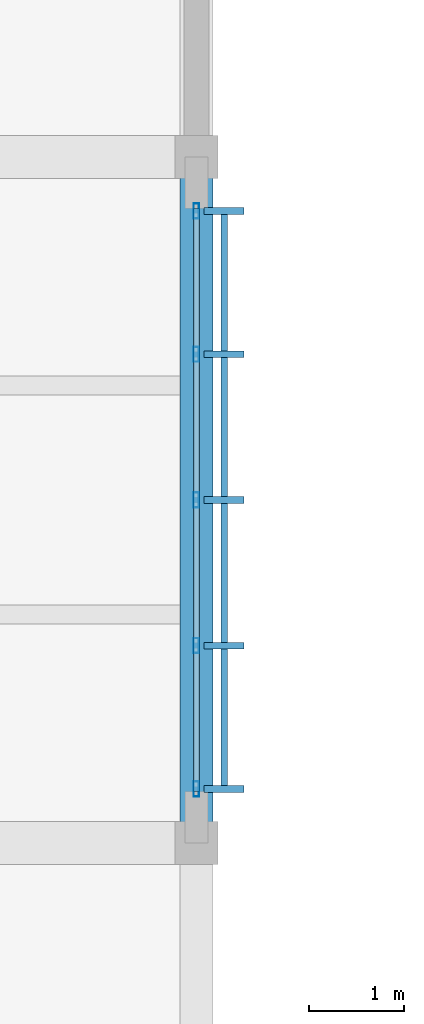
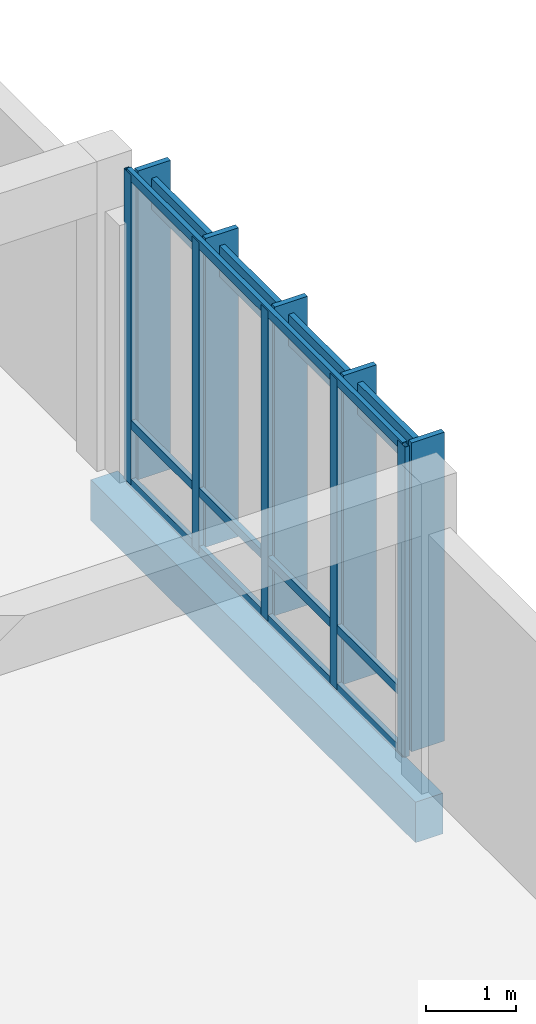
# One storey, part 29 of 107: 14 members, 1 beam, 1 element without a shape of its own.
"""IFC4 building model written with IfcOpenShell, lengths in metres."""

from ifc_helpers import new_model, si_unit, direction, frame, origin, origin_2d, place, context, subcontext, project, spatial, rectangle, hollow_rectangle, extrude, material, material_profile, profile_set, type_object, element, aggregate, save


model = new_model("IFC4")

# Units and contexts
model_context = context("Model", 3, precision=1e-05, world=origin(), true_north=direction((0.0, 1.0)))
body_context = subcontext(model_context, "Body", "Model", "MODEL_VIEW")
ifc_project = project(units=[si_unit("LENGTHUNIT", "METRE"), si_unit("AREAUNIT", "SQUARE_METRE"), si_unit("VOLUMEUNIT", "CUBIC_METRE"), si_unit("PLANEANGLEUNIT", "RADIAN"), si_unit("MASSUNIT", "GRAM", prefix="KILO")], contexts=[model_context])

# Site, building, storey
site_placement = place(None, origin())
site = spatial("IfcSite", under=ifc_project, at=site_placement, CompositionType="ELEMENT")
building_placement = place(site_placement, origin())
building = spatial("IfcBuilding", under=site, at=building_placement, Name="Chiffa Square Polytechnic", CompositionType="ELEMENT")
storey_placement = place(building_placement, frame((0.0, 0.0, 13.800048828125)))
storey = spatial("IfcBuildingStorey", under=building, at=storey_placement, Name="L03", CompositionType="ELEMENT", Elevation=13.800048828125)

# Beam
ifc_material_1 = material(Name="Concrete C35/45", Category="concrete")
ifc_material_profile_1 = material_profile(ifc_material_1, rectangle(XDim=0.35009765625, YDim=0.550048828125, at=origin_2d()), Name="RC 350x550")
ifc_profile_set_1 = profile_set([ifc_material_profile_1], Name="Concrete C35/45")
beam_type = type_object("IfcBeamType", Name="BM-RC-350X550", PredefinedType="BEAM", material=ifc_profile_set_1)
beam_placement = place(storey_placement, frame((32.0, 65.39990234375, -0.53515625), z_axis=(0.0, 1.0, 0.0), x_axis=(-1.0, 0.0, 0.0)))
element("IfcBeam", 1, at=beam_placement, inside=storey, type_object=beam_type, Name="Primary floor girder BM-V6-L03-Y-0320-0654", PredefinedType="BEAM", context=body_context, shape_type="SweptSolid", body=[
    extrude(rectangle(XDim=0.35009765625, YDim=0.550048828125, at=origin_2d()), origin(), (0.0, 0.0, 1.0), 7.2001953125),
])

# Curtain wall, members
ifc_material_2 = material(Name="Aluminium EN AW-6060 T66 and glulam shading", Category="wood")
curtain_wall_type = type_object("IfcCurtainWallType", Name="CW-VERT-540X440", PredefinedType="USERDEFINED", material=ifc_material_2)
curtain_wall_placement = place(storey_placement, origin())
curtain_wall = element("IfcCurtainWall", 2, at=curtain_wall_placement, inside=storey, type_object=curtain_wall_type, Name="Curtain wall CW-V6-L03-271", ObjectType="CURTAIN WALL", PredefinedType="USERDEFINED")
ifc_material_3 = material(Name="Aluminium EN AW-6060 T66", Category="aluminium")
ifc_material_profile_2 = material_profile(ifc_material_3, hollow_rectangle(XDim=0.06005859375, YDim=0.159912109375, WallThickness=0.00390625, at=origin_2d()), Name="ALU 60x160x4")
ifc_profile_set_2 = profile_set([ifc_material_profile_2], Name="Aluminium EN AW-6060 T66")
member_type_1 = type_object("IfcMemberType", Name="CWM-ALU-65X150", PredefinedType="MULLION", material=ifc_profile_set_2)
member_1_placement = place(storey_placement, frame((32.0, 65.965087890625, 0.0), z_axis=(0.0, 0.0, 1.0), x_axis=(1.0, 0.0, 0.0)))
member_1 = element("IfcMember", 3, at=member_1_placement, type_object=member_type_1, Name="Curtain wall mullion CW-V6-L03-271-M00", PredefinedType="MULLION", context=body_context, shape_type="SweptSolid", body=[
    extrude(hollow_rectangle(XDim=0.06005859375, YDim=0.159912109375, WallThickness=0.00390625, at=origin_2d()), origin(), (0.0, 0.0, 1.0), 4.199951171875),
])
member_2_placement = place(storey_placement, frame((32.0, 67.469970703125, 0.0), z_axis=(0.0, 0.0, 1.0), x_axis=(1.0, 0.0, 0.0)))
member_2 = element("IfcMember", 4, at=member_2_placement, type_object=member_type_1, Name="Curtain wall mullion CW-V6-L03-271-M01", PredefinedType="MULLION", context=body_context, shape_type="SweptSolid", body=[
    extrude(hollow_rectangle(XDim=0.06005859375, YDim=0.159912109375, WallThickness=0.00390625, at=origin_2d()), origin(), (0.0, 0.0, 1.0), 4.199951171875),
])
member_3_placement = place(storey_placement, frame((32.0, 69.0, 0.0), z_axis=(0.0, 0.0, 1.0), x_axis=(1.0, 0.0, 0.0)))
member_3 = element("IfcMember", 5, at=member_3_placement, type_object=member_type_1, Name="Curtain wall mullion CW-V6-L03-271-M02", PredefinedType="MULLION", context=body_context, shape_type="SweptSolid", body=[
    extrude(hollow_rectangle(XDim=0.06005859375, YDim=0.159912109375, WallThickness=0.00390625, at=origin_2d()), origin(), (0.0, 0.0, 1.0), 4.199951171875),
])
member_4_placement = place(storey_placement, frame((32.0, 70.530029296875, 0.0), z_axis=(0.0, 0.0, 1.0), x_axis=(1.0, 0.0, 0.0)))
member_4 = element("IfcMember", 6, at=member_4_placement, type_object=member_type_1, Name="Curtain wall mullion CW-V6-L03-271-M03", PredefinedType="MULLION", context=body_context, shape_type="SweptSolid", body=[
    extrude(hollow_rectangle(XDim=0.06005859375, YDim=0.159912109375, WallThickness=0.00390625, at=origin_2d()), origin(), (0.0, 0.0, 1.0), 4.199951171875),
])
member_5_placement = place(storey_placement, frame((32.0, 72.034912109375, 0.0), z_axis=(0.0, 0.0, 1.0), x_axis=(1.0, 0.0, 0.0)))
member_5 = element("IfcMember", 7, at=member_5_placement, type_object=member_type_1, Name="Curtain wall mullion CW-V6-L03-271-M04", PredefinedType="MULLION", context=body_context, shape_type="SweptSolid", body=[
    extrude(hollow_rectangle(XDim=0.06005859375, YDim=0.159912109375, WallThickness=0.00390625, at=origin_2d()), origin(), (0.0, 0.0, 1.0), 4.199951171875),
])
ifc_material_4 = material(Name="Glulam GL28h", Category="wood")
ifc_material_profile_3 = material_profile(ifc_material_4, rectangle(XDim=0.070068359375, YDim=0.419921875, at=origin_2d()), Name="GL28h 70x420")
ifc_profile_set_3 = profile_set([ifc_material_profile_3], Name="Glulam GL28h")
member_type_2 = type_object("IfcMemberType", Name="CWM-GL-70X420", PredefinedType="MULLION", material=ifc_profile_set_3)
member_6_placement = place(storey_placement, frame((32.2919921875, 65.965087890625, 0.010009765625), z_axis=(0.0, 0.0, 1.0), x_axis=(0.0, 1.0, 0.0)))
member_6 = element("IfcMember", 8, at=member_6_placement, type_object=member_type_2, Name="Exterior glulam solar fin CW-V6-L03-271-FN00", PredefinedType="MULLION", context=body_context, shape_type="SweptSolid", body=[
    extrude(rectangle(XDim=0.070068359375, YDim=0.419921875, at=origin_2d()), origin(), (0.0, 0.0, 1.0), 4.179931640625),
])
member_7_placement = place(storey_placement, frame((32.2919921875, 67.469970703125, 0.010009765625), z_axis=(0.0, 0.0, 1.0), x_axis=(0.0, 1.0, 0.0)))
member_7 = element("IfcMember", 9, at=member_7_placement, type_object=member_type_2, Name="Exterior glulam solar fin CW-V6-L03-271-FN01", PredefinedType="MULLION", context=body_context, shape_type="SweptSolid", body=[
    extrude(rectangle(XDim=0.070068359375, YDim=0.419921875, at=origin_2d()), origin(), (0.0, 0.0, 1.0), 4.179931640625),
])
member_8_placement = place(storey_placement, frame((32.2919921875, 69.0, 0.010009765625), z_axis=(0.0, 0.0, 1.0), x_axis=(0.0, 1.0, 0.0)))
member_8 = element("IfcMember", 10, at=member_8_placement, type_object=member_type_2, Name="Exterior glulam solar fin CW-V6-L03-271-FN02", PredefinedType="MULLION", context=body_context, shape_type="SweptSolid", body=[
    extrude(rectangle(XDim=0.070068359375, YDim=0.419921875, at=origin_2d()), origin(), (0.0, 0.0, 1.0), 4.179931640625),
])
member_9_placement = place(storey_placement, frame((32.2919921875, 70.530029296875, 0.010009765625), z_axis=(0.0, 0.0, 1.0), x_axis=(0.0, 1.0, 0.0)))
member_9 = element("IfcMember", 11, at=member_9_placement, type_object=member_type_2, Name="Exterior glulam solar fin CW-V6-L03-271-FN03", PredefinedType="MULLION", context=body_context, shape_type="SweptSolid", body=[
    extrude(rectangle(XDim=0.070068359375, YDim=0.419921875, at=origin_2d()), origin(), (0.0, 0.0, 1.0), 4.179931640625),
])
member_10_placement = place(storey_placement, frame((32.2919921875, 72.034912109375, 0.010009765625), z_axis=(0.0, 0.0, 1.0), x_axis=(0.0, 1.0, 0.0)))
member_10 = element("IfcMember", 12, at=member_10_placement, type_object=member_type_2, Name="Exterior glulam solar fin CW-V6-L03-271-FN04", PredefinedType="MULLION", context=body_context, shape_type="SweptSolid", body=[
    extrude(rectangle(XDim=0.070068359375, YDim=0.419921875, at=origin_2d()), origin(), (0.0, 0.0, 1.0), 4.179931640625),
])
ifc_material_profile_4 = material_profile(ifc_material_3, hollow_rectangle(XDim=0.06005859375, YDim=0.1201171875, WallThickness=0.00390625, at=origin_2d()), Name="ALU 60x120x4")
ifc_profile_set_4 = profile_set([ifc_material_profile_4], Name="Aluminium EN AW-6060 T66")
member_type_3 = type_object("IfcMemberType", Name="CWT-ALU-65X120", PredefinedType="USERDEFINED", material=ifc_profile_set_4)
member_11_placement = place(storey_placement, frame((32.0, 65.93798828125, 0.030029296875), z_axis=(0.0, 1.0, 0.0), x_axis=(-1.0, 0.0, 0.0)))
member_11 = element("IfcMember", 13, at=member_11_placement, type_object=member_type_3, Name="Curtain wall transom CW-V6-L03-271-T01", ObjectType="TRANSOM", PredefinedType="USERDEFINED", context=body_context, shape_type="SweptSolid", body=[
    extrude(hollow_rectangle(XDim=0.06005859375, YDim=0.1201171875, WallThickness=0.00390625, at=origin_2d()), origin(), (0.0, 0.0, 1.0), 6.1240234375),
])
member_12_placement = place(storey_placement, frame((32.0, 65.93798828125, 0.820068359375), z_axis=(0.0, 1.0, 0.0), x_axis=(-1.0, 0.0, 0.0)))
member_12 = element("IfcMember", 14, at=member_12_placement, type_object=member_type_3, Name="Curtain wall transom CW-V6-L03-271-T02", ObjectType="TRANSOM", PredefinedType="USERDEFINED", context=body_context, shape_type="SweptSolid", body=[
    extrude(hollow_rectangle(XDim=0.06005859375, YDim=0.1201171875, WallThickness=0.00390625, at=origin_2d()), origin(), (0.0, 0.0, 1.0), 6.1240234375),
])
member_13_placement = place(storey_placement, frame((32.0, 65.93798828125, 4.169921875), z_axis=(0.0, 1.0, 0.0), x_axis=(-1.0, 0.0, 0.0)))
member_13 = element("IfcMember", 15, at=member_13_placement, type_object=member_type_3, Name="Curtain wall transom CW-V6-L03-271-T03", ObjectType="TRANSOM", PredefinedType="USERDEFINED", context=body_context, shape_type="SweptSolid", body=[
    extrude(hollow_rectangle(XDim=0.06005859375, YDim=0.1201171875, WallThickness=0.00390625, at=origin_2d()), origin(), (0.0, 0.0, 1.0), 6.1240234375),
])
ifc_material_profile_5 = material_profile(ifc_material_4, rectangle(XDim=0.070068359375, YDim=0.419921875, at=origin_2d()), Name="GL28h 70x420")
ifc_profile_set_5 = profile_set([ifc_material_profile_5], Name="Glulam GL28h")
member_type_4 = type_object("IfcMemberType", Name="CWT-GL-70X420", PredefinedType="USERDEFINED", material=ifc_profile_set_5)
member_14_placement = place(storey_placement, frame((32.2919921875, 65.965087890625, 3.820068359375), z_axis=(0.0, 1.0, 0.0), x_axis=(-1.0, 0.0, 0.0)))
member_14 = element("IfcMember", 16, at=member_14_placement, type_object=member_type_4, Name="Exterior glulam brise-soleil CW-V6-L03-271-BS01", ObjectType="TRANSOM", PredefinedType="USERDEFINED", context=body_context, shape_type="SweptSolid", body=[
    extrude(rectangle(XDim=0.070068359375, YDim=0.419921875, at=origin_2d()), origin(), (0.0, 0.0, 1.0), 6.06982421875),
])
aggregate(curtain_wall, [member_1, member_6, member_2, member_7, member_3, member_8, member_4, member_9, member_5, member_10, member_11, member_12, member_13, member_14])

save(model, "model.ifc")
